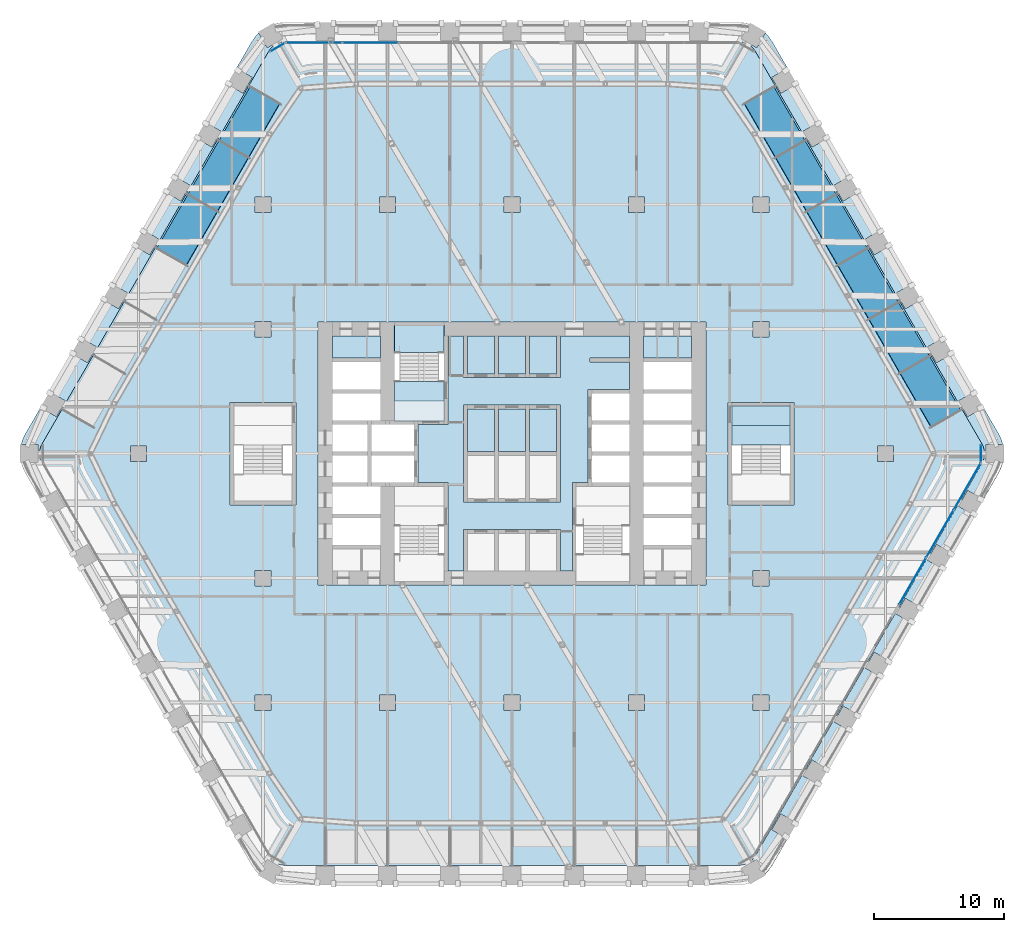
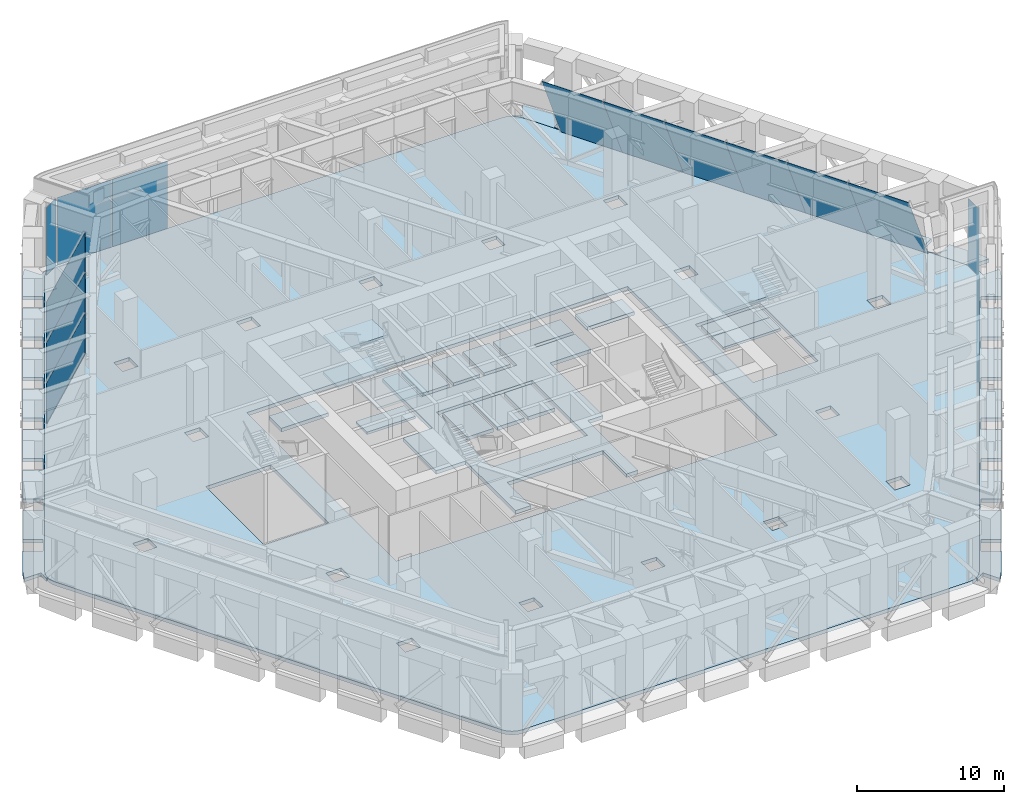
# One storey, part 17 of 35: 20 slabs, 16 plates, 8 elements without a shape of their own.
"""IFC4 building model written with IfcOpenShell, lengths in metres."""

import ifcopenshell
import ifcopenshell.guid

model = None  # the IFC model being written
_history = None  # IfcOwnerHistory: only IFC2X3 demands one
_inside = {}  # id of a spatial element -> (the spatial element, [elements in it])
_under = {}  # id of a project, library or spatial element -> (it, [spatial elements below it])
_declared = {}  # id of a project -> (the project, [libraries it declares])
_typed = {}  # id of a type object -> (the type object, [elements of that type])
_made_of = {}  # id of a material, layer set ... -> (it, [elements and type objects made of it])


def new_model(schema):
    """Start an empty IFC model of exactly this schema.

    Asked for "IFC4X3", IfcOpenShell would pick the latest addendum, in which some entities
    have other attributes; the version numbers below select the first issue.
    IFC2X3 requires an IfcOwnerHistory on every rooted entity: one is made here for all.
    """
    global model, _history
    if schema == "IFC4X3":
        model = ifcopenshell.file(schema_version=(4, 3, 0, 0))
    else:
        model = ifcopenshell.file(schema=schema)
    _inside.clear()
    _under.clear()
    _declared.clear()
    _typed.clear()
    _made_of.clear()
    _history = None
    if model.schema == "IFC2X3":
        org = make("IfcOrganization", Name="unknown")
        user = make(
            "IfcPersonAndOrganization",
            ThePerson=make("IfcPerson", FamilyName="unknown"),
            TheOrganization=org,
        )
        app = make(
            "IfcApplication",
            ApplicationDeveloper=org,
            Version="unknown",
            ApplicationFullName="unknown",
            ApplicationIdentifier="unknown",
        )
        _history = make(
            "IfcOwnerHistory",
            OwningUser=user,
            OwningApplication=app,
            ChangeAction="ADDED",
            CreationDate=0,
        )
    return model


def make(cls, **values):
    """One entity of the class cls with the attributes given. An attribute that is None is left unset."""
    return model.create_entity(
        cls, **{name: value for name, value in values.items() if value is not None}
    )


def rooted(cls, **values):
    """An entity with a GlobalId (a new one), such as an element, a storey or a relation."""
    return make(cls, GlobalId=ifcopenshell.guid.new(), OwnerHistory=_history, **values)


def si_unit(unit_type, name, prefix=None):
    """IfcSIUnit, for example si_unit("LENGTHUNIT", "METRE", prefix="MILLI")."""
    return make("IfcSIUnit", UnitType=unit_type, Prefix=prefix, Name=name)


def assignment(units):
    """IfcUnitAssignment: the units of a project."""
    return None if units is None else make("IfcUnitAssignment", Units=units)


def point(xyz):
    """IfcCartesianPoint."""
    return None if xyz is None else make("IfcCartesianPoint", Coordinates=xyz)


def direction(xyz):
    """IfcDirection."""
    return None if xyz is None else make("IfcDirection", DirectionRatios=xyz)


def frame(location, z_axis=None, x_axis=None):
    """IfcAxis2Placement3D, a coordinate frame: its origin and axes. An axis left out is left unset."""
    return make(
        "IfcAxis2Placement3D",
        Location=point(location),
        Axis=direction(z_axis),
        RefDirection=direction(x_axis),
    )


def frame_2d(location, x_axis=None):
    """IfcAxis2Placement2D, a coordinate frame in the plane: its origin and x axis."""
    return make(
        "IfcAxis2Placement2D", Location=point(location), RefDirection=direction(x_axis)
    )


def origin():
    """The frame at (0, 0, 0) with its axes left unset."""
    return frame((0.0, 0.0, 0.0))


def origin_2d():
    """The frame at (0, 0) in the plane with its x axis left unset."""
    return frame_2d((0.0, 0.0))


def place(relative_to, where):
    """IfcLocalPlacement: puts the frame where relative to a parent placement (None: the world)."""
    return make(
        "IfcLocalPlacement", PlacementRelTo=relative_to, RelativePlacement=where
    )


def context(
    kind, dimensions, precision=None, world=None, true_north=None, identifier=None
):
    """IfcGeometricRepresentationContext, for example the 3D "Model" context."""
    return make(
        "IfcGeometricRepresentationContext",
        ContextIdentifier=identifier,
        ContextType=kind,
        CoordinateSpaceDimension=dimensions,
        Precision=precision,
        WorldCoordinateSystem=world,
        TrueNorth=true_north,
    )


def subcontext(parent, identifier, kind, view, scale=None):
    """IfcGeometricRepresentationSubContext, for example "Body" below "Model"."""
    return make(
        "IfcGeometricRepresentationSubContext",
        ContextIdentifier=identifier,
        ContextType=kind,
        ParentContext=parent,
        TargetScale=scale,
        TargetView=view,
    )


def project(units=None, contexts=None):
    """IfcProject with its units and contexts."""
    return rooted(
        "IfcProject",
        Name="project",
        RepresentationContexts=contexts,
        UnitsInContext=assignment(units),
    )


def spatial(cls, under=None, at=None, **own):
    """A site, building, storey or space (cls), placed at a placement, below another one or the project."""
    s = rooted(cls, ObjectPlacement=at, **own)
    if under is not None:
        _under.setdefault(under.id(), (under, []))[1].append(s)
    return s


def polyline(points):
    """IfcPolyline through the points."""
    return make("IfcPolyline", Points=[point(p) for p in points])


def profile(cls, at=None, kind="AREA", **sizes):
    """A parametric profile (cls). Its sizes go by their IFC names, for example OverallWidth=200.0."""
    return make(cls, ProfileType=kind, Position=at, **sizes)


def rectangle(**sizes):
    """IfcRectangleProfileDef."""
    return profile("IfcRectangleProfileDef", **sizes)


def outline(outer, holes=None, kind="AREA"):
    """IfcArbitraryClosedProfileDef: a profile drawn as a closed curve; with holes, ...WithVoids."""
    if holes is None:
        return make("IfcArbitraryClosedProfileDef", ProfileType=kind, OuterCurve=outer)
    return make(
        "IfcArbitraryProfileDefWithVoids",
        ProfileType=kind,
        OuterCurve=outer,
        InnerCurves=holes,
    )


def extrude(swept, where, along, depth):
    """IfcExtrudedAreaSolid: the profile swept, set in the frame where, extruded along a direction by depth."""
    return make(
        "IfcExtrudedAreaSolid",
        SweptArea=swept,
        Position=where,
        ExtrudedDirection=direction(along),
        Depth=depth,
    )


def shape(context_of_items, identifier, shape_type, items):
    """IfcShapeRepresentation: the items that make up one representation, for example the "Body"."""
    return make(
        "IfcShapeRepresentation",
        ContextOfItems=context_of_items,
        RepresentationIdentifier=identifier,
        RepresentationType=shape_type,
        Items=items,
    )


def material(Name=None, Category=None):
    """IfcMaterial."""
    return make("IfcMaterial", Name=Name, Category=Category)


def layer(
    of_material, thickness, ventilated=None, Name=None, Category=None, Priority=None
):
    """IfcMaterialLayer: one layer of a wall or slab, of a material (None: an air gap)."""
    return make(
        "IfcMaterialLayer",
        Material=of_material,
        LayerThickness=thickness,
        IsVentilated=ventilated,
        Name=Name,
        Category=Category,
        Priority=Priority,
    )


def layer_set(layers, Name=None):
    """IfcMaterialLayerSet."""
    return make("IfcMaterialLayerSet", MaterialLayers=layers, LayerSetName=Name)


def made_of(thing, what):
    """Note that an element or type object is made of a material, layer set ...; save() writes the relation."""
    if what is not None:
        _made_of.setdefault(what.id(), (what, []))[1].append(thing)
    return thing


def type_object(cls, material=None, **own):
    """A type object (cls), such as IfcWallType, which elements share."""
    return made_of(rooted(cls, **own), material)


def element(
    cls,
    number,
    at=None,
    inside=None,
    cuts=None,
    type_object=None,
    material=None,
    context=None,
    identifier="Body",
    shape_type=None,
    held_by="IfcProductDefinitionShape",
    body=None,
    shapes=None,
    **own,
):
    """One element of the class cls, such as IfcWall. Its Tag is "e" and its number.

    at: its placement. inside: the storey or other place that contains it. cuts: it is an
    opening in that element (IfcRelVoidsElement). A single representation is given by context,
    identifier, shape_type and body (its items); several are given by shapes. held_by: the class
    of the entity that holds the representations. save() writes the other relations.
    """
    e = rooted(cls, Tag="e%d" % number, ObjectPlacement=at, **own)
    if body is not None:
        shapes = [shape(context, identifier, shape_type, body)]
    if shapes is not None:
        e.Representation = make(held_by, Representations=shapes)
    if inside is not None:
        _inside.setdefault(inside.id(), (inside, []))[1].append(e)
    if cuts is not None:
        rooted(
            "IfcRelVoidsElement", RelatingBuildingElement=cuts, RelatedOpeningElement=e
        )
    if type_object is not None:
        _typed.setdefault(type_object.id(), (type_object, []))[1].append(e)
    return made_of(e, material)


def aggregate(whole, parts):
    """IfcRelAggregates: a whole, such as a stair, and the parts it consists of."""
    return rooted("IfcRelAggregates", RelatingObject=whole, RelatedObjects=parts)


def save(model, path):
    """Write the relations noted so far, then the file.

    IfcRelAggregates (storeys below a building ...), IfcRelContainedInSpatialStructure (elements
    in a storey), IfcRelDefinesByType, IfcRelAssociatesMaterial and IfcRelDeclares: one each for
    every whole, place, type object, material and project.
    """
    for whole, parts in _under.values():
        aggregate(whole, parts)
    for where, things in _inside.values():
        rooted(
            "IfcRelContainedInSpatialStructure",
            RelatedElements=things,
            RelatingStructure=where,
        )
    for kind, things in _typed.values():
        rooted("IfcRelDefinesByType", RelatedObjects=things, RelatingType=kind)
    for what, things in _made_of.values():
        rooted("IfcRelAssociatesMaterial", RelatedObjects=things, RelatingMaterial=what)
    for by, libraries in _declared.values():
        rooted("IfcRelDeclares", RelatingContext=by, RelatedDefinitions=libraries)
    model.write(path)


model = new_model("IFC4")

# Units and contexts
model_context = context("Model", 3, precision=1e-05, world=origin(), true_north=direction((0.0, 1.0)))
body_context = subcontext(model_context, "Body", "Model", "MODEL_VIEW")
ifc_project = project(units=[si_unit("LENGTHUNIT", "METRE"), si_unit("AREAUNIT", "SQUARE_METRE"), si_unit("VOLUMEUNIT", "CUBIC_METRE"), si_unit("PLANEANGLEUNIT", "RADIAN"), si_unit("MASSUNIT", "GRAM", prefix="KILO")], contexts=[model_context])

# Site, building, storey
site_placement = place(None, origin())
site = spatial("IfcSite", under=ifc_project, at=site_placement, CompositionType="ELEMENT")
building_placement = place(site_placement, origin())
building = spatial("IfcBuilding", under=site, at=building_placement, Name="Kolab Exchange Tower", CompositionType="ELEMENT")
storey_placement = place(building_placement, frame((0.0, 0.0, 71.89990234375)))
storey = spatial("IfcBuildingStorey", under=building, at=storey_placement, Name="L13", CompositionType="ELEMENT", Elevation=71.89990234375)

# Curtain wall, plates
ifc_material_1 = material(Name="Aluminium EN AW-6063 T6", Category="aluminium")
curtain_wall_type_1 = type_object("IfcCurtainWallType", Name="CANTED BAND CURTAIN WALL", PredefinedType="NOTDEFINED", material=ifc_material_1)
curtain_wall_1_placement = place(storey_placement, origin())
curtain_wall_1 = element("IfcCurtainWall", 1, at=curtain_wall_1_placement, inside=storey, type_object=curtain_wall_type_1, Name="band/L13/F2", PredefinedType="NOTDEFINED")
ifc_layer_1 = layer(ifc_material_1, 0.031982421875)
ifc_layer_set_1 = layer_set([ifc_layer_1], Name="Aluminium EN AW-6063 T6")
plate_type_1 = type_object("IfcPlateType", Name="CANTED BAND LOUVRE PANEL 32", PredefinedType="CURTAIN_PANEL", material=ifc_layer_set_1)
plate_1_placement = place(storey_placement, frame((20.192626953125, 28.285888671875, 0.0), z_axis=(0.789543411339, 0.455864290648, 0.410863663669), x_axis=(0.500017431331, -0.866015339567, 0.0)))
plate_1 = element("IfcPlate", 2, at=plate_1_placement, type_object=plate_type_1, Name="Band louvre panel", PredefinedType="CURTAIN_PANEL", context=body_context, shape_type="SweptSolid", body=[
    extrude(outline(polyline([(0.0, 0.0), (4.800125623588972, 1.1102230246251565e-16), (4.800032481351556, -6.36181770787622), (-9.314223741605604e-05, -6.36181770787622), (0.0, 0.0)])), origin(), (0.0, 0.0, -1.0), 0.031982421875),
])
plate_2_placement = place(storey_placement, frame((22.5927734375, 24.12890625, 0.0), z_axis=(0.789551897699, 0.455849592058, 0.410863663836), x_axis=(0.500001309137, -0.866024647952, 0.0)))
plate_2 = element("IfcPlate", 3, at=plate_2_placement, type_object=plate_type_1, Name="Band louvre panel", PredefinedType="CURTAIN_PANEL", context=body_context, shape_type="SweptSolid", body=[
    extrude(outline(polyline([(0.0, 0.0), (4.799792120326249, 0.0), (4.799747638433652, -6.361817708402549), (-4.44818925973145e-05, -6.361817708402549), (0.0, 0.0)])), origin(), (0.0, 0.0, -1.0), 0.031982421875),
])
plate_3_placement = place(storey_placement, frame((24.99267578125, 19.97216796875, 0.0), z_axis=(0.789563490305, 0.455829512521, 0.410863663873), x_axis=(0.499979284789, -0.866037363387, 0.0)))
plate_3 = element("IfcPlate", 4, at=plate_3_placement, type_object=plate_type_1, Name="Band louvre panel", PredefinedType="CURTAIN_PANEL", context=body_context, shape_type="SweptSolid", body=[
    extrude(outline(polyline([(0.0, 0.0), (4.800003553677277, 0.0), (4.8000255452913905, -6.361817708520049), (2.1991614113848587e-05, -6.361817708520049), (0.0, 0.0)])), origin(), (0.0, 0.0, -1.0), 0.031982421875),
])
plate_4_placement = place(storey_placement, frame((27.392578125, 15.815185546875, 0.0), z_axis=(0.789543411339, 0.455864290648, 0.410863663669), x_axis=(0.500017431331, -0.866015339567, 0.0)))
plate_4 = element("IfcPlate", 5, at=plate_4_placement, type_object=plate_type_1, Name="Band louvre panel", PredefinedType="CURTAIN_PANEL", context=body_context, shape_type="SweptSolid", body=[
    extrude(outline(polyline([(0.0, 0.0), (4.800125623588972, 1.1102230246251565e-16), (4.800032481351556, -6.36181770787622), (-9.314223741605604e-05, -6.36181770787622), (0.0, 0.0)])), origin(), (0.0, 0.0, -1.0), 0.031982421875),
])
plate_5_placement = place(storey_placement, frame((29.792724609375, 11.658203125, 0.0), z_axis=(0.789563490305, 0.455829512521, 0.410863663873), x_axis=(0.499979284789, -0.866037363387, 0.0)))
plate_5 = element("IfcPlate", 6, at=plate_5_placement, type_object=plate_type_1, Name="Band louvre panel", PredefinedType="CURTAIN_PANEL", context=body_context, shape_type="SweptSolid", body=[
    extrude(outline(polyline([(0.0, 0.0), (4.800003553677277, 0.0), (4.8000255452913905, -6.361817708520049), (2.1991614113848587e-05, -6.361817708520049), (0.0, 0.0)])), origin(), (0.0, 0.0, -1.0), 0.031982421875),
])
plate_6_placement = place(storey_placement, frame((32.192626953125, 7.501220703125, 0.0), z_axis=(0.789534502145, 0.455872533438, 0.410871638324), x_axis=(0.500030302691, -0.866007907798, -4.7635e-06)))
plate_6 = element("IfcPlate", 7, at=plate_6_placement, type_object=plate_type_1, Name="Band louvre panel", PredefinedType="CURTAIN_PANEL", context=body_context, shape_type="SweptSolid", body=[
    extrude(outline(polyline([(0.0, 0.0), (4.799914195292466, -1.1102230246251565e-16), (4.799966003234158, -6.361867865499385), (-0.00015961977017212692, -6.3618177063122205), (0.0, 0.0)])), origin(), (0.0, 0.0, -1.0), 0.031982421875),
])
aggregate(curtain_wall_1, [plate_1, plate_2, plate_3, plate_4, plate_5, plate_6])

curtain_wall_2_placement = place(storey_placement, origin())
curtain_wall_2 = element("IfcCurtainWall", 8, at=curtain_wall_2_placement, inside=storey, type_object=curtain_wall_type_1, Name="band/L13/F6", PredefinedType="NOTDEFINED")
plate_7_placement = place(storey_placement, frame((-27.392578125, 15.815185546875, 0.0), z_axis=(-0.789563490305, 0.455829512521, 0.410863663873), x_axis=(0.499979284789, 0.866037363387, 0.0)))
plate_7 = element("IfcPlate", 9, at=plate_7_placement, type_object=plate_type_1, Name="Band louvre panel", PredefinedType="CURTAIN_PANEL", context=body_context, shape_type="SweptSolid", body=[
    extrude(outline(polyline([(0.0, 0.0), (4.800003553677277, 0.0), (4.799981562063163, -6.361817708520049), (-2.1991614113848587e-05, -6.361817708520049), (0.0, 0.0)])), origin(), (0.0, 0.0, -1.0), 0.031982421875),
])
plate_8_placement = place(storey_placement, frame((-24.99267578125, 19.97216796875, 0.0), z_axis=(-0.789551897699, 0.455849592058, 0.410863663836), x_axis=(0.500001309137, 0.866024647952, 0.0)))
plate_8 = element("IfcPlate", 10, at=plate_8_placement, type_object=plate_type_1, Name="Band louvre panel", PredefinedType="CURTAIN_PANEL", context=body_context, shape_type="SweptSolid", body=[
    extrude(outline(polyline([(0.0, 0.0), (4.799792120326249, 0.0), (4.799836602218846, -6.361817708402549), (4.44818925973145e-05, -6.361817708402549), (0.0, 0.0)])), origin(), (0.0, 0.0, -1.0), 0.031982421875),
])
plate_9_placement = place(storey_placement, frame((-22.5927734375, 24.12890625, 0.0), z_axis=(-0.789543411339, 0.455864290648, 0.410863663669), x_axis=(0.500017431331, 0.866015339567, 0.0)))
plate_9 = element("IfcPlate", 11, at=plate_9_placement, type_object=plate_type_1, Name="Band louvre panel", PredefinedType="CURTAIN_PANEL", context=body_context, shape_type="SweptSolid", body=[
    extrude(outline(polyline([(0.0, 0.0), (4.800125623588972, -1.1102230246251565e-16), (4.800218765826388, -6.361817707876221), (9.314223741605604e-05, -6.36181770787622), (0.0, 0.0)])), origin(), (0.0, 0.0, -1.0), 0.031982421875),
])
aggregate(curtain_wall_2, [plate_7, plate_8, plate_9])

# Slabs
ifc_material_2 = material(Name="Concrete C35/45", Category="concrete")
ifc_layer_2 = layer(ifc_material_2, 0.300048828125)
ifc_layer_set_2 = layer_set([ifc_layer_2], Name="Concrete C35/45")
slab_type_1 = type_object("IfcSlabType", Name="FLOOR SLAB 300", PredefinedType="FLOOR", material=ifc_layer_set_2)
slab_1_placement = place(storey_placement, frame((0.0, 0.0, -0.2998046875)))
element("IfcSlab", 12, at=slab_1_placement, inside=storey, type_object=slab_type_1, Name="slab/L13/floor/0", PredefinedType="FLOOR", context=body_context, shape_type="SweptSolid", body=[
    extrude(outline(polyline([(18.76708984375, -31.00537109375), (36.23486328125, -0.75), (36.345458984375, -0.512939453125), (36.4130859375, -0.260498046875), (36.435791015625, 0.0), (36.4130859375, 0.260498046875), (36.345458984375, 0.512939453125), (36.23486328125, 0.75), (18.76708984375, 31.00537109375), (18.616943359375, 31.219482421875), (18.43212890625, 31.404541015625), (18.218017578125, 31.554443359375), (17.98095703125, 31.664794921875), (17.728515625, 31.732666015625), (17.468017578125, 31.75537109375), (-17.468017578125, 31.75537109375), (-17.728515625, 31.732666015625), (-17.98095703125, 31.664794921875), (-18.218017578125, 31.554443359375), (-18.43212890625, 31.404541015625), (-18.616943359375, 31.219482421875), (-18.76708984375, 31.00537109375), (-36.23486328125, 0.75), (-36.345458984375, 0.512939453125), (-36.4130859375, 0.260498046875), (-36.435791015625, 0.0), (-36.4130859375, -0.260498046875), (-36.345458984375, -0.512939453125), (-36.23486328125, -0.75), (-18.76708984375, -31.00537109375), (-18.616943359375, -31.219482421875), (-18.43212890625, -31.404541015625), (-18.218017578125, -31.554443359375), (-17.98095703125, -31.664794921875), (-17.728515625, -31.732666015625), (-17.468017578125, -31.75537109375), (17.468017578125, -31.75537109375), (17.728515625, -31.732666015625), (17.98095703125, -31.664794921875), (18.218017578125, -31.554443359375), (18.43212890625, -31.404541015625), (18.616943359375, -31.219482421875), (18.76708984375, -31.00537109375)]), holes=[polyline([(-19.800048828125, -18.60009765625), (-18.60009765625, -18.60009765625), (-18.60009765625, -19.800048828125), (-19.800048828125, -19.800048828125), (-19.800048828125, -18.60009765625)]), polyline([(-18.60009765625, -9.0), (-18.60009765625, -10.199951171875), (-19.800048828125, -10.199951171875), (-19.800048828125, -9.0), (-18.60009765625, -9.0)]), polyline([(-21.75, -3.949951171875), (-21.75, 3.949951171875), (-21.449951171875, 3.949951171875), (-16.949951171875, 3.949951171875), (-16.64990234375, 3.949951171875), (-16.64990234375, -3.949951171875), (-16.949951171875, -3.949951171875), (-21.449951171875, -3.949951171875), (-21.75, -3.949951171875)]), polyline([(-14.949951171875, 10.14990234375), (-13.85009765625, 10.14990234375), (-10.14990234375, 10.14990234375), (-9.050048828125, 10.14990234375), (-5.25, 10.14990234375), (9.050048828125, 10.14990234375), (10.14990234375, 10.14990234375), (13.85009765625, 10.14990234375), (14.949951171875, 10.14990234375), (14.949951171875, -10.14990234375), (13.85009765625, -10.14990234375), (10.14990234375, -10.14990234375), (9.050048828125, -10.14990234375), (4.949951171875, -10.14990234375), (-5.25, -10.14990234375), (-9.050048828125, -10.14990234375), (-10.14990234375, -10.14990234375), (-13.85009765625, -10.14990234375), (-14.949951171875, -10.14990234375), (-14.949951171875, 10.14990234375)]), polyline([(-28.199951171875, 0.60009765625), (-28.199951171875, -0.60009765625), (-29.39990234375, -0.60009765625), (-29.39990234375, 0.60009765625), (-28.199951171875, 0.60009765625)]), polyline([(-18.60009765625, 10.199951171875), (-18.60009765625, 9.0), (-19.800048828125, 9.0), (-19.800048828125, 10.199951171875), (-18.60009765625, 10.199951171875)]), polyline([(-19.800048828125, 19.800048828125), (-18.60009765625, 19.800048828125), (-18.60009765625, 18.60009765625), (-19.800048828125, 18.60009765625), (-19.800048828125, 19.800048828125)]), polyline([(-9.0, -18.60009765625), (-9.0, -19.800048828125), (-10.199951171875, -19.800048828125), (-10.199951171875, -18.60009765625), (-9.0, -18.60009765625)]), polyline([(-9.0, 19.800048828125), (-9.0, 18.60009765625), (-10.199951171875, 18.60009765625), (-10.199951171875, 19.800048828125), (-9.0, 19.800048828125)]), polyline([(0.60009765625, -18.60009765625), (0.60009765625, -19.800048828125), (-0.60009765625, -19.800048828125), (-0.60009765625, -18.60009765625), (0.60009765625, -18.60009765625)]), polyline([(0.60009765625, 19.800048828125), (0.60009765625, 18.60009765625), (-0.60009765625, 18.60009765625), (-0.60009765625, 19.800048828125), (0.60009765625, 19.800048828125)]), polyline([(10.199951171875, -18.60009765625), (10.199951171875, -19.800048828125), (9.0, -19.800048828125), (9.0, -18.60009765625), (10.199951171875, -18.60009765625)]), polyline([(9.0, 19.800048828125), (10.199951171875, 19.800048828125), (10.199951171875, 18.60009765625), (9.0, 18.60009765625), (9.0, 19.800048828125)]), polyline([(19.800048828125, -18.60009765625), (19.800048828125, -19.800048828125), (18.60009765625, -19.800048828125), (18.60009765625, -18.60009765625), (19.800048828125, -18.60009765625)]), polyline([(19.800048828125, -9.0), (19.800048828125, -10.199951171875), (18.60009765625, -10.199951171875), (18.60009765625, -9.0), (19.800048828125, -9.0)]), polyline([(16.949951171875, -3.949951171875), (16.64990234375, -3.949951171875), (16.64990234375, 3.949951171875), (16.949951171875, 3.949951171875), (21.449951171875, 3.949951171875), (21.75, 3.949951171875), (21.75, -3.949951171875), (21.449951171875, -3.949951171875), (16.949951171875, -3.949951171875)]), polyline([(29.39990234375, 0.60009765625), (29.39990234375, -0.60009765625), (28.199951171875, -0.60009765625), (28.199951171875, 0.60009765625), (29.39990234375, 0.60009765625)]), polyline([(18.60009765625, 10.199951171875), (19.800048828125, 10.199951171875), (19.800048828125, 9.0), (18.60009765625, 9.0), (18.60009765625, 10.199951171875)]), polyline([(18.60009765625, 19.800048828125), (19.800048828125, 19.800048828125), (19.800048828125, 18.60009765625), (18.60009765625, 18.60009765625), (18.60009765625, 19.800048828125)])]), origin(), (0.0, 0.0, 1.0), 0.2998046875),
])
slab_2_placement = place(storey_placement, frame((0.0, 0.0, -0.2998046875)))
element("IfcSlab", 13, at=slab_2_placement, inside=storey, type_object=slab_type_1, Name="slab/L13/floor/1", PredefinedType="FLOOR", context=body_context, shape_type="SweptSolid", body=[
    extrude(outline(polyline([(-5.25, 2.25), (-7.25, 2.25), (-7.25, -2.25), (-5.25, -2.25), (-4.949951171875, -2.25), (-4.949951171875, -9.050048828125), (-3.75, -9.050048828125), (-3.75, -5.85009765625), (-3.449951171875, -5.85009765625), (-1.35009765625, -5.85009765625), (-1.050048828125, -5.85009765625), (1.050048828125, -5.85009765625), (1.35009765625, -5.85009765625), (3.449951171875, -5.85009765625), (3.75, -5.85009765625), (3.75, -9.050048828125), (4.64990234375, -9.050048828125), (4.64990234375, -2.25), (4.949951171875, -2.25), (5.85009765625, -2.25), (5.85009765625, 4.949951171875), (6.14990234375, 4.949951171875), (9.050048828125, 4.949951171875), (9.050048828125, 7.050048828125), (6.0, 7.050048828125), (6.0, 7.35009765625), (9.050048828125, 7.35009765625), (9.050048828125, 9.050048828125), (3.75, 9.050048828125), (3.75, 5.85009765625), (3.449951171875, 5.85009765625), (1.35009765625, 5.85009765625), (1.050048828125, 5.85009765625), (-1.050048828125, 5.85009765625), (-1.35009765625, 5.85009765625), (-3.449951171875, 5.85009765625), (-3.75, 5.85009765625), (-3.75, 9.050048828125), (-4.949951171875, 9.050048828125), (-4.949951171875, 2.25), (-5.25, 2.25)]), holes=[polyline([(-1.35009765625, 3.75), (-1.050048828125, 3.75), (1.050048828125, 3.75), (1.35009765625, 3.75), (3.449951171875, 3.75), (3.75, 3.75), (3.75, -3.75), (3.449951171875, -3.75), (1.35009765625, -3.75), (1.050048828125, -3.75), (-1.050048828125, -3.75), (-1.35009765625, -3.75), (-3.449951171875, -3.75), (-3.75, -3.75), (-3.75, 3.75), (-3.449951171875, 3.75), (-1.35009765625, 3.75)])]), origin(), (0.0, 0.0, 1.0), 0.2998046875),
])
slab_3_placement = place(storey_placement, frame((0.0, 0.0, -0.2998046875)))
element("IfcSlab", 14, at=slab_3_placement, inside=storey, type_object=slab_type_1, Name="slab/L13/floor/3", PredefinedType="FLOOR", context=body_context, shape_type="SweptSolid", body=[
    extrude(outline(polyline([(-1.35009765625, 0.14990234375), (-1.35009765625, 3.449951171875), (-3.449951171875, 3.449951171875), (-3.449951171875, 0.14990234375), (-1.35009765625, 0.14990234375)])), origin(), (0.0, 0.0, 1.0), 0.2998046875),
])
slab_4_placement = place(storey_placement, frame((0.0, 0.0, -0.2998046875)))
element("IfcSlab", 15, at=slab_4_placement, inside=storey, type_object=slab_type_1, Name="slab/L13/floor/5", PredefinedType="FLOOR", context=body_context, shape_type="SweptSolid", body=[
    extrude(outline(polyline([(-1.050048828125, 3.449951171875), (-1.050048828125, 0.14990234375), (1.050048828125, 0.14990234375), (1.050048828125, 3.449951171875), (-1.050048828125, 3.449951171875)])), origin(), (0.0, 0.0, 1.0), 0.2998046875),
])
slab_5_placement = place(storey_placement, frame((0.0, 0.0, -0.2998046875)))
element("IfcSlab", 16, at=slab_5_placement, inside=storey, type_object=slab_type_1, Name="slab/L13/floor/7", PredefinedType="FLOOR", context=body_context, shape_type="SweptSolid", body=[
    extrude(outline(polyline([(1.35009765625, 0.14990234375), (3.449951171875, 0.14990234375), (3.449951171875, 3.449951171875), (1.35009765625, 3.449951171875), (1.35009765625, 0.14990234375)])), origin(), (0.0, 0.0, 1.0), 0.2998046875),
])
slab_6_placement = place(storey_placement, frame((0.0, 0.0, -0.2998046875)))
element("IfcSlab", 17, at=slab_6_placement, inside=storey, type_object=slab_type_1, Name="slab/L13/floor/9", PredefinedType="FLOOR", context=body_context, shape_type="SweptSolid", body=[
    extrude(outline(polyline([(21.449951171875, 3.64990234375), (16.949951171875, 3.64990234375), (16.949951171875, 2.14990234375), (21.449951171875, 2.14990234375), (21.449951171875, 3.64990234375)])), origin(), (0.0, 0.0, 1.0), 0.2998046875),
])
slab_7_placement = place(storey_placement, frame((0.0, 0.0, -0.2998046875)))
element("IfcSlab", 18, at=slab_7_placement, inside=storey, type_object=slab_type_1, Name="slab/L13/floor/11", PredefinedType="FLOOR", context=body_context, shape_type="SweptSolid", body=[
    extrude(outline(polyline([(-13.85009765625, 7.35009765625), (-10.14990234375, 7.35009765625), (-10.14990234375, 9.050048828125), (-13.85009765625, 9.050048828125), (-13.85009765625, 7.35009765625)])), origin(), (0.0, 0.0, 1.0), 0.2998046875),
])
slab_8_placement = place(storey_placement, frame((0.0, 0.0, -0.2998046875)))
element("IfcSlab", 19, at=slab_8_placement, inside=storey, type_object=slab_type_1, Name="slab/L13/floor/13", PredefinedType="FLOOR", context=body_context, shape_type="SweptSolid", body=[
    extrude(outline(polyline([(10.14990234375, 7.35009765625), (13.85009765625, 7.35009765625), (13.85009765625, 9.050048828125), (10.14990234375, 9.050048828125), (10.14990234375, 7.35009765625)])), origin(), (0.0, 0.0, 1.0), 0.2998046875),
])
slab_9_placement = place(storey_placement, frame((0.0, 0.0, -0.2998046875)))
element("IfcSlab", 20, at=slab_9_placement, inside=storey, type_object=slab_type_1, Name="slab/L13/floor/16", PredefinedType="FLOOR", context=body_context, shape_type="SweptSolid", body=[
    extrude(outline(polyline([(-1.050048828125, 9.050048828125), (-1.050048828125, 6.14990234375), (1.050048828125, 6.14990234375), (1.050048828125, 9.050048828125), (-1.050048828125, 9.050048828125)])), origin(), (0.0, 0.0, 1.0), 0.2998046875),
])
slab_10_placement = place(storey_placement, frame((0.0, 0.0, -0.2998046875)))
element("IfcSlab", 21, at=slab_10_placement, inside=storey, type_object=slab_type_1, Name="slab/L13/floor/18", PredefinedType="FLOOR", context=body_context, shape_type="SweptSolid", body=[
    extrude(outline(polyline([(-1.35009765625, 6.14990234375), (-1.35009765625, 9.050048828125), (-3.449951171875, 9.050048828125), (-3.449951171875, 6.14990234375), (-1.35009765625, 6.14990234375)])), origin(), (0.0, 0.0, 1.0), 0.2998046875),
])
slab_11_placement = place(storey_placement, frame((0.0, 0.0, -0.2998046875)))
element("IfcSlab", 22, at=slab_11_placement, inside=storey, type_object=slab_type_1, Name="slab/L13/floor/20", PredefinedType="FLOOR", context=body_context, shape_type="SweptSolid", body=[
    extrude(outline(polyline([(1.35009765625, 6.14990234375), (3.449951171875, 6.14990234375), (3.449951171875, 9.050048828125), (1.35009765625, 9.050048828125), (1.35009765625, 6.14990234375)])), origin(), (0.0, 0.0, 1.0), 0.2998046875),
])
ifc_layer_3 = layer(ifc_material_2, 0.300048828125)
ifc_layer_set_3 = layer_set([ifc_layer_3], Name="Concrete C35/45")
slab_type_2 = type_object("IfcSlabType", Name="LOGGIA SLAB 300", PredefinedType="FLOOR", material=ifc_layer_set_3)
slab_12_placement = place(storey_placement, frame((0.0, 0.0, -0.2998046875)))
element("IfcSlab", 23, at=slab_12_placement, inside=storey, type_object=slab_type_2, Name="slab/L13/loggia/1-0", PredefinedType="FLOOR", context=body_context, shape_type="SweptSolid", body=[
    extrude(outline(polyline([(36.435791015625, 0.0), (36.535888671875, 0.0), (36.535888671875, 0.699951171875), (37.84228515625, 0.699951171875), (37.7548828125, 1.026123046875), (37.533935546875, 1.5), (36.35009765625, 3.55078125), (35.137451171875, 2.8505859375), (34.4375, 4.063232421875), (35.64990234375, 4.76318359375), (33.949951171875, 7.70751953125), (32.737548828125, 7.007568359375), (32.03759765625, 8.219970703125), (33.25, 8.920166015625), (31.550048828125, 11.864501953125), (30.337646484375, 11.16455078125), (29.637451171875, 12.376953125), (30.85009765625, 13.076904296875), (29.14990234375, 16.021484375), (27.9375, 15.321533203125), (27.237548828125, 16.533935546875), (28.449951171875, 17.23388671875), (26.75, 20.178466796875), (25.53759765625, 19.478271484375), (24.837646484375, 20.69091796875), (26.050048828125, 21.390869140625), (24.35009765625, 24.335205078125), (23.137451171875, 23.63525390625), (22.4375, 24.84765625), (23.64990234375, 25.5478515625), (21.949951171875, 28.4921875), (20.737548828125, 27.792236328125), (20.03759765625, 29.004638671875), (21.25, 29.70458984375), (20.06591796875, 31.75537109375), (19.76611328125, 32.183837890625), (19.52734375, 32.42236328125), (18.874267578125, 31.291015625), (18.26806640625, 31.64111328125), (18.218017578125, 31.554443359375), (18.43212890625, 31.404541015625), (18.616943359375, 31.219482421875), (18.76708984375, 31.00537109375), (36.23486328125, 0.75), (36.345458984375, 0.512939453125), (36.4130859375, 0.260498046875), (36.435791015625, 0.0)])), origin(), (0.0, 0.0, 1.0), 0.2998046875),
])
slab_13_placement = place(storey_placement, frame((0.0, 0.0, -0.2998046875)))
element("IfcSlab", 24, at=slab_13_placement, inside=storey, type_object=slab_type_2, Name="slab/L13/loggia/2-0", PredefinedType="FLOOR", context=body_context, shape_type="SweptSolid", body=[
    extrude(outline(polyline([(20.06591796875, -31.75537109375), (21.25, -29.70458984375), (20.03759765625, -29.004638671875), (20.737548828125, -27.792236328125), (21.949951171875, -28.4921875), (23.64990234375, -25.5478515625), (22.4375, -24.84765625), (23.137451171875, -23.63525390625), (24.35009765625, -24.335205078125), (26.050048828125, -21.390869140625), (24.837646484375, -20.69091796875), (25.53759765625, -19.478271484375), (26.75, -20.178466796875), (28.449951171875, -17.23388671875), (27.237548828125, -16.533935546875), (27.9375, -15.321533203125), (29.14990234375, -16.021484375), (30.85009765625, -13.076904296875), (29.637451171875, -12.376953125), (30.337646484375, -11.16455078125), (31.550048828125, -11.864501953125), (33.25, -8.920166015625), (32.03759765625, -8.219970703125), (32.737548828125, -7.007568359375), (33.949951171875, -7.70751953125), (35.64990234375, -4.76318359375), (34.4375, -4.063232421875), (35.137451171875, -2.8505859375), (36.35009765625, -3.55078125), (37.533935546875, -1.5), (37.7548828125, -1.026123046875), (37.84228515625, -0.699951171875), (36.535888671875, -0.699951171875), (36.535888671875, 0.0), (36.435791015625, 0.0), (36.4130859375, -0.260498046875), (36.345458984375, -0.512939453125), (36.23486328125, -0.75), (18.76708984375, -31.00537109375), (18.616943359375, -31.219482421875), (18.43212890625, -31.404541015625), (18.218017578125, -31.554443359375), (18.26806640625, -31.64111328125), (18.874267578125, -31.291015625), (19.52734375, -32.42236328125), (19.76611328125, -32.183837890625), (20.06591796875, -31.75537109375)])), origin(), (0.0, 0.0, 1.0), 0.2998046875),
])
slab_14_placement = place(storey_placement, frame((0.0, 0.0, -0.2998046875)))
element("IfcSlab", 25, at=slab_14_placement, inside=storey, type_object=slab_type_2, Name="slab/L13/loggia/5-0", PredefinedType="FLOOR", context=body_context, shape_type="SweptSolid", body=[
    extrude(outline(polyline([(-18.218017578125, 31.554443359375), (-18.26806640625, 31.64111328125), (-18.874267578125, 31.291015625), (-19.52734375, 32.42236328125), (-19.76611328125, 32.183837890625), (-20.06591796875, 31.75537109375), (-21.25, 29.70458984375), (-20.03759765625, 29.004638671875), (-20.737548828125, 27.792236328125), (-21.949951171875, 28.4921875), (-23.64990234375, 25.5478515625), (-22.4375, 24.84765625), (-23.137451171875, 23.63525390625), (-24.35009765625, 24.335205078125), (-26.050048828125, 21.390869140625), (-24.837646484375, 20.69091796875), (-25.53759765625, 19.478271484375), (-26.75, 20.178466796875), (-28.449951171875, 17.23388671875), (-27.237548828125, 16.533935546875), (-27.9375, 15.321533203125), (-29.14990234375, 16.021484375), (-30.85009765625, 13.076904296875), (-29.637451171875, 12.376953125), (-30.337646484375, 11.16455078125), (-31.550048828125, 11.864501953125), (-33.25, 8.920166015625), (-32.03759765625, 8.219970703125), (-32.737548828125, 7.007568359375), (-33.949951171875, 7.70751953125), (-35.64990234375, 4.76318359375), (-34.4375, 4.063232421875), (-35.137451171875, 2.8505859375), (-36.35009765625, 3.55078125), (-37.533935546875, 1.5), (-37.7548828125, 1.026123046875), (-37.84228515625, 0.699951171875), (-36.535888671875, 0.699951171875), (-36.535888671875, 0.0), (-36.435791015625, 0.0), (-36.4130859375, 0.260498046875), (-36.345458984375, 0.512939453125), (-36.23486328125, 0.75), (-18.76708984375, 31.00537109375), (-18.616943359375, 31.219482421875), (-18.43212890625, 31.404541015625), (-18.218017578125, 31.554443359375)])), origin(), (0.0, 0.0, 1.0), 0.2998046875),
])

# Stair, slabs
ifc_material_3 = material(Name="Concrete C50/60", Category="concrete")
stair_type_1 = type_object("IfcStairType", Name="STAIR ST1 RISER 166.7", PredefinedType="DOUBLE_RETURN_STAIR", material=ifc_material_3)
stair_1_placement = place(storey_placement, origin())
stair_1 = element("IfcStair", 26, at=stair_1_placement, inside=storey, type_object=stair_type_1, Name="Stair 1", PredefinedType="DOUBLE_RETURN_STAIR")
ifc_layer_4 = layer(ifc_material_3, 0.199951171875)
ifc_layer_set_4 = layer_set([ifc_layer_4], Name="Concrete C50/60")
slab_type_3 = type_object("IfcSlabType", Name="STAIR LANDING 200", PredefinedType="LANDING", material=ifc_layer_set_4)
slab_15_placement = place(storey_placement, frame((0.0, 0.0, -0.199951171875)))
slab_15 = element("IfcSlab", 27, at=slab_15_placement, type_object=slab_type_3, Name="ST1 landing 1", PredefinedType="LANDING", context=body_context, shape_type="SweptSolid", body=[
    extrude(outline(polyline([(-9.050048828125, 4.050048828125), (-5.25, 4.050048828125), (-5.25, 5.550048828125), (-9.050048828125, 5.550048828125), (-9.050048828125, 4.050048828125)])), origin(), (0.0, 0.0, 1.0), 0.199951171875),
])
slab_16_placement = place(storey_placement, frame((0.0, 0.0, 1.300048828125)))
slab_16 = element("IfcSlab", 28, at=slab_16_placement, type_object=slab_type_3, Name="ST1 landing 2", PredefinedType="LANDING", context=body_context, shape_type="SweptSolid", body=[
    extrude(outline(polyline([(-9.110107421875, 7.7900390625), (-5.18994140625, 7.7900390625), (-5.18994140625, 9.909912109375), (-9.110107421875, 9.909912109375), (-9.110107421875, 7.7900390625)])), origin(), (0.0, 0.0, 1.0), 0.199951171875),
])
slab_17_placement = place(storey_placement, frame((0.0, 0.0, 2.800048828125)))
slab_17 = element("IfcSlab", 29, at=slab_17_placement, type_object=slab_type_3, Name="ST1 landing 3", PredefinedType="LANDING", context=body_context, shape_type="SweptSolid", body=[
    extrude(outline(polyline([(-9.110107421875, 2.489990234375), (-5.18994140625, 2.489990234375), (-5.18994140625, 5.550048828125), (-9.110107421875, 5.550048828125), (-9.110107421875, 2.489990234375)])), origin(), (0.0, 0.0, 1.0), 0.199951171875),
])
slab_18_placement = place(storey_placement, frame((0.0, 0.0, 4.300048828125)))
slab_18 = element("IfcSlab", 30, at=slab_18_placement, type_object=slab_type_3, Name="ST1 landing 4", PredefinedType="LANDING", context=body_context, shape_type="SweptSolid", body=[
    extrude(outline(polyline([(-9.050048828125, 7.7900390625), (-5.25, 7.7900390625), (-5.25, 9.909912109375), (-9.050048828125, 9.909912109375), (-9.050048828125, 7.7900390625)])), origin(), (0.0, 0.0, 1.0), 0.199951171875),
])
aggregate(stair_1, [slab_15, slab_16, slab_17, slab_18])

stair_type_2 = type_object("IfcStairType", Name="STAIR ST4 RISER 166.7", PredefinedType="DOUBLE_RETURN_STAIR", material=ifc_material_3)
stair_2_placement = place(storey_placement, origin())
stair_2 = element("IfcStair", 31, at=stair_2_placement, inside=storey, type_object=stair_type_2, Name="Stair 4", PredefinedType="DOUBLE_RETURN_STAIR")
slab_19_placement = place(storey_placement, frame((0.0, 0.0, -0.199951171875)))
slab_19 = element("IfcSlab", 32, at=slab_19_placement, type_object=slab_type_3, Name="ST4 landing 1", PredefinedType="LANDING", context=body_context, shape_type="SweptSolid", body=[
    extrude(outline(polyline([(16.949951171875, 0.64990234375), (21.449951171875, 0.64990234375), (21.449951171875, 2.14990234375), (16.949951171875, 2.14990234375), (16.949951171875, 0.64990234375)])), origin(), (0.0, 0.0, 1.0), 0.199951171875),
])
slab_20_placement = place(storey_placement, frame((0.0, 0.0, 2.800048828125)))
slab_20 = element("IfcSlab", 33, at=slab_20_placement, type_object=slab_type_3, Name="ST4 landing 3", PredefinedType="LANDING", context=body_context, shape_type="SweptSolid", body=[
    extrude(outline(polyline([(16.889892578125, 0.64990234375), (21.510009765625, 0.64990234375), (21.510009765625, 3.7099609375), (16.889892578125, 3.7099609375), (16.889892578125, 0.64990234375)])), origin(), (0.0, 0.0, 1.0), 0.199951171875),
])
aggregate(stair_2, [slab_19, slab_20])

# Curtain wall, plates
curtain_wall_type_2 = type_object("IfcCurtainWallType", Name="UNITISED LOW ZONE BELT CURTAIN WALL", PredefinedType="NOTDEFINED", material=ifc_material_1)
curtain_wall_3_placement = place(storey_placement, origin())
curtain_wall_3 = element("IfcCurtainWall", 34, at=curtain_wall_3_placement, inside=storey, type_object=curtain_wall_type_2, Name="cw/L13/F1-1", PredefinedType="NOTDEFINED")
ifc_layer_5 = layer(ifc_material_1, 0.02392578125)
ifc_layer_set_5 = layer_set([ifc_layer_5], Name="Aluminium EN AW-6063 T6")
plate_type_2 = type_object("IfcPlateType", Name="UNITISED LOW ZONE BELT LOUVRE PANEL 24", PredefinedType="CURTAIN_PANEL", material=ifc_layer_set_5)
plate_10_placement = place(storey_placement, frame((-15.26953125, 31.67529296875, 0.06005859375), z_axis=(0.0, 0.0, 1.0), x_axis=(1.0, 0.0, 0.0)))
plate_10 = element("IfcPlate", 35, at=plate_10_placement, type_object=plate_type_2, Name="CW9 panel 1.1", PredefinedType="CURTAIN_PANEL", context=body_context, shape_type="SweptSolid", body=[
    extrude(rectangle(XDim=4.277099609375, YDim=0.02392578125, at=origin_2d()), origin(), (0.0, 0.0, 1.0), 5.580078125),
])
plate_11_placement = place(storey_placement, frame((-10.91748046875, 31.67529296875, 0.06005859375), z_axis=(0.0, 0.0, 1.0), x_axis=(1.0, 0.0, 0.0)))
plate_11 = element("IfcPlate", 36, at=plate_11_placement, type_object=plate_type_2, Name="CW9 panel 2.1", PredefinedType="CURTAIN_PANEL", context=body_context, shape_type="SweptSolid", body=[
    extrude(rectangle(XDim=4.306884765625, YDim=0.02392578125, at=origin_2d()), origin(), (0.0, 0.0, 1.0), 5.580078125),
])
aggregate(curtain_wall_3, [plate_10, plate_11])

curtain_wall_4_placement = place(storey_placement, origin())
curtain_wall_4 = element("IfcCurtainWall", 37, at=curtain_wall_4_placement, inside=storey, type_object=curtain_wall_type_2, Name="cw/L13/F3-1", PredefinedType="NOTDEFINED")
plate_12_placement = place(storey_placement, frame((35.1025390625, -2.551513671875, 0.06005859375), z_axis=(0.0, 0.0, 1.0), x_axis=(-0.499999958358, -0.866025427826, 0.0)))
plate_12 = element("IfcPlate", 38, at=plate_12_placement, type_object=plate_type_2, Name="CW9 panel 1.1", PredefinedType="CURTAIN_PANEL", context=body_context, shape_type="SweptSolid", body=[
    extrude(rectangle(XDim=4.132568359375, YDim=0.02392578125, at=origin_2d()), origin(), (0.0, 0.0, 1.0), 5.580078125),
])
plate_13_placement = place(storey_placement, frame((32.998779296875, -6.1953125, 0.06005859375), z_axis=(0.0, 0.0, 1.0), x_axis=(-0.499999958358, -0.866025427826, 0.0)))
plate_13 = element("IfcPlate", 39, at=plate_13_placement, type_object=plate_type_2, Name="CW9 panel 2.1", PredefinedType="CURTAIN_PANEL", context=body_context, shape_type="SweptSolid", body=[
    extrude(rectangle(XDim=4.16259765625, YDim=0.02392578125, at=origin_2d()), origin(), (0.0, 0.0, 1.0), 5.580078125),
])
plate_14_placement = place(storey_placement, frame((30.894775390625, -9.83935546875, 0.06005859375), z_axis=(0.0, 0.0, 1.0), x_axis=(-0.499999958358, -0.866025427826, 0.0)))
plate_14 = element("IfcPlate", 40, at=plate_14_placement, type_object=plate_type_2, Name="CW9 panel 3.1", PredefinedType="CURTAIN_PANEL", context=body_context, shape_type="SweptSolid", body=[
    extrude(rectangle(XDim=4.132568359375, YDim=0.02392578125, at=origin_2d()), origin(), (0.0, 0.0, 1.0), 5.580078125),
])
aggregate(curtain_wall_4, [plate_12, plate_13, plate_14])

# Curtain wall, plate
curtain_wall_5_placement = place(storey_placement, origin())
curtain_wall_5 = element("IfcCurtainWall", 41, at=curtain_wall_5_placement, inside=storey, type_object=curtain_wall_type_2, Name="cw/L13/F2F3-corner", PredefinedType="NOTDEFINED")
plate_15_placement = place(storey_placement, frame((36.165771484375, 0.0, 0.06005859375), z_axis=(0.0, 0.0, 1.0), x_axis=(0.0, -1.0, 0.0)))
plate_15 = element("IfcPlate", 42, at=plate_15_placement, type_object=plate_type_2, Name="CW9 panel 1.1", PredefinedType="CURTAIN_PANEL", context=body_context, shape_type="SweptSolid", body=[
    extrude(rectangle(XDim=1.300048828125, YDim=0.02392578125, at=origin_2d()), origin(), (0.0, 0.0, 1.0), 5.580078125),
])
aggregate(curtain_wall_5, [plate_15])

curtain_wall_6_placement = place(storey_placement, origin())
curtain_wall_6 = element("IfcCurtainWall", 43, at=curtain_wall_6_placement, inside=storey, type_object=curtain_wall_type_2, Name="cw/L13/F6F1-corner", PredefinedType="NOTDEFINED")
plate_16_placement = place(storey_placement, frame((-18.082763671875, 31.3203125, 0.06005859375), z_axis=(0.0, 0.0, 1.0), x_axis=(0.866025390869, 0.50000002237, 0.0)))
plate_16 = element("IfcPlate", 44, at=plate_16_placement, type_object=plate_type_2, Name="CW9 panel 1.1", PredefinedType="CURTAIN_PANEL", context=body_context, shape_type="SweptSolid", body=[
    extrude(rectangle(XDim=1.300048828125, YDim=0.02392578125, at=origin_2d()), origin(), (0.0, 0.0, 1.0), 5.580078125),
])
aggregate(curtain_wall_6, [plate_16])

save(model, "model.ifc")
